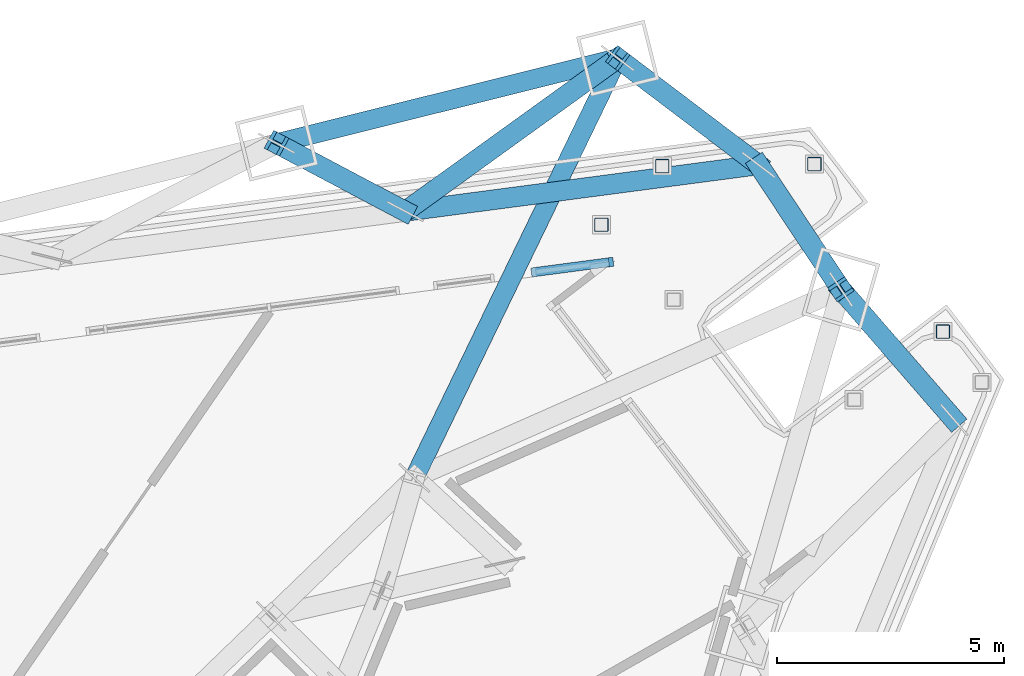
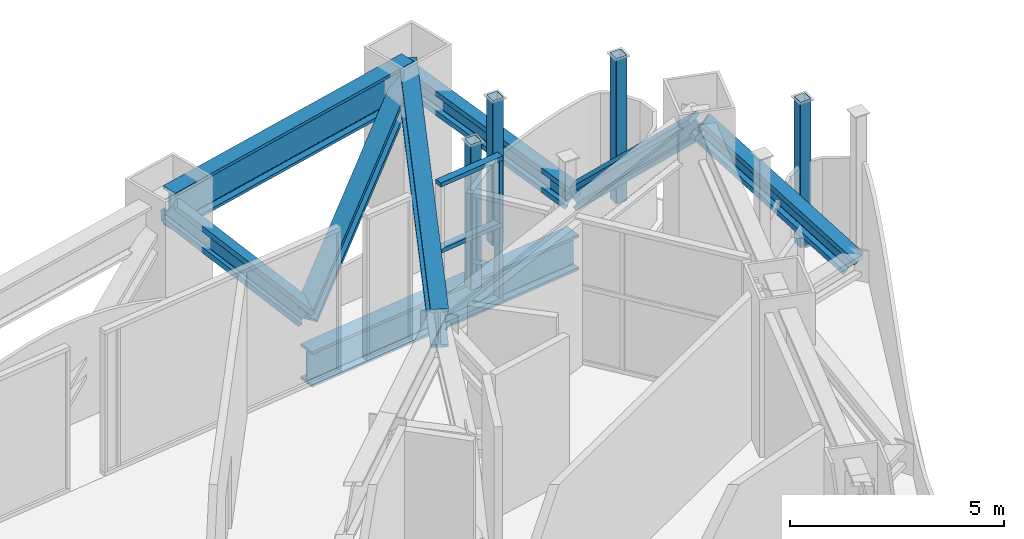
# One storey, part 10 of 31: 16 members, 1 beam, 1 element without a shape of its own.
"""IFC4 building model written with IfcOpenShell, lengths in metres."""

from ifc_helpers import new_model, si_unit, direction, frame, origin, origin_2d, place, context, subcontext, project, spatial, rectangle, hollow_rectangle, i_section, extrude, material, layer, layer_set, material_profile, profile_set, type_object, element, aggregate, save


model = new_model("IFC4")

# Units and contexts
model_context = context("Model", 3, precision=1e-05, world=origin(), true_north=direction((0.0, 1.0)))
body_context = subcontext(model_context, "Body", "Model", "MODEL_VIEW")
ifc_project = project(units=[si_unit("LENGTHUNIT", "METRE"), si_unit("AREAUNIT", "SQUARE_METRE"), si_unit("VOLUMEUNIT", "CUBIC_METRE"), si_unit("PLANEANGLEUNIT", "RADIAN"), si_unit("MASSUNIT", "GRAM", prefix="KILO")], contexts=[model_context])

# Site, building, storey
site_placement = place(None, origin())
site = spatial("IfcSite", under=ifc_project, at=site_placement, CompositionType="ELEMENT")
building_placement = place(site_placement, origin())
building = spatial("IfcBuilding", under=site, at=building_placement, Name="Trine Commons Tower", CompositionType="ELEMENT")
storey_placement = place(building_placement, frame((0.0, 0.0, 82.800048828125)))
storey = spatial("IfcBuildingStorey", under=building, at=storey_placement, Name="L20", CompositionType="ELEMENT", Elevation=82.800048828125)

# Curtain wall, members
ifc_material_1 = material(Name="Plant louvre wall: anodised aluminium frame with anodised aluminium louvre blades", Category="aluminium")
ifc_layer = layer(ifc_material_1, 0.199951171875)
ifc_layer_set = layer_set([ifc_layer], Name="Plant louvre wall: anodised aluminium frame with anodised aluminium louvre blades")
curtain_wall_type = type_object("IfcCurtainWallType", Name="Plant louvre wall curtain wall CW7", PredefinedType="NOTDEFINED", material=ifc_layer_set)
curtain_wall_placement = place(storey_placement, origin())
curtain_wall = element("IfcCurtainWall", 1, at=curtain_wall_placement, inside=storey, type_object=curtain_wall_type, Name="Plant louvre wall L20 F1.5", PredefinedType="NOTDEFINED")
ifc_material_2 = material(Name="Anodised aluminium, bronze finish", Category="aluminium")
ifc_material_profile_1 = material_profile(ifc_material_2, rectangle(XDim=0.199951171875, YDim=0.10009765625, at=origin_2d()), Name="Mullion 100x200")
ifc_profile_set_1 = profile_set([ifc_material_profile_1], Name="Anodised aluminium, bronze finish")
member_type_1 = type_object("IfcMemberType", Name="Mullion 100x200, Anodised aluminium, bronze finish", PredefinedType="MULLION", material=ifc_profile_set_1)
member_1_placement = place(storey_placement, frame((101.415283203125, 83.75390625, 0.119873046875), z_axis=(0.0, 0.0, 1.0), x_axis=(-0.13052619222, 0.991444861374, 0.0)))
member_1 = element("IfcMember", 2, at=member_1_placement, type_object=member_type_1, Name="CW7 mullion 2.1", PredefinedType="MULLION", context=body_context, shape_type="SweptSolid", body=[
    extrude(rectangle(XDim=0.199951171875, YDim=0.10009765625, at=origin_2d()), origin(), (0.0, 0.0, 1.0), 2.02001953125),
])
member_2_placement = place(storey_placement, frame((101.415283203125, 83.75390625, 2.260009765625), z_axis=(0.0, 0.0, 1.0), x_axis=(-0.13052619222, 0.991444861374, 0.0)))
member_2 = element("IfcMember", 3, at=member_2_placement, type_object=member_type_1, Name="CW7 mullion 2.2", PredefinedType="MULLION", context=body_context, shape_type="SweptSolid", body=[
    extrude(rectangle(XDim=0.199951171875, YDim=0.10009765625, at=origin_2d()), origin(), (0.0, 0.0, 1.0), 1.77001953125),
])

# Beam
ifc_material_3 = material(Name="Structural steel ASTM A992 Gr50", Category="steel")
ifc_material_profile_2 = material_profile(ifc_material_3, i_section(OverallWidth=0.42529296875, OverallDepth=1.09228515625, WebThickness=0.04541015625, FlangeThickness=0.08203125, FilletRadius=0.030029296875, at=origin_2d()), Name="W40X593")
ifc_profile_set_2 = profile_set([ifc_material_profile_2], Name="Structural steel ASTM A992 Gr50")
beam_type = type_object("IfcBeamType", Name="Steel beam W40X593, ASTM A992 Gr50", PredefinedType="BEAM", material=ifc_profile_set_2)
beam_placement = place(storey_placement, frame((101.562744140625, 88.250244140625, 3.603759765625), z_axis=(-0.436007430627, -0.899943065109, 0.0), x_axis=(0.899943065109, -0.436007430627, 0.0)))
element("IfcBeam", 4, at=beam_placement, inside=storey, type_object=beam_type, Name="Transfer truss girder T2-UV-03", PredefinedType="BEAM", context=body_context, shape_type="SweptSolid", body=[
    extrude(i_section(OverallWidth=0.42529296875, OverallDepth=1.09228515625, WebThickness=0.04541015625, FlangeThickness=0.08203125, FilletRadius=0.030029296875, at=origin_2d()), origin(), (0.0, 0.0, 1.0), 10.2890625),
])

# Members
ifc_material_profile_3 = material_profile(ifc_material_3, i_section(OverallWidth=0.44775390625, OverallDepth=0.54931640625, WebThickness=0.072021484375, FlangeThickness=0.11474609375, FilletRadius=0.01513671875, at=origin_2d()), Name="W14X665")
ifc_profile_set_3 = profile_set([ifc_material_profile_3], Name="Structural steel ASTM A992 Gr50")
member_type_2 = type_object("IfcMemberType", Name="Steel brace W14X665, ASTM A992 Gr50", PredefinedType="BRACE", material=ifc_profile_set_3)
member_3_placement = place(storey_placement, frame((96.875732421875, 84.870849609375, 0.504638671875), z_axis=(-0.636230312501, 0.336599413224, 0.694198692358), x_axis=(-0.467639851974, -0.883919096323, 0.0)))
element("IfcMember", 5, at=member_3_placement, inside=storey, type_object=member_type_2, Name="Belt truss brace T2-DG-29", PredefinedType="BRACE", context=body_context, shape_type="SweptSolid", body=[
    extrude(i_section(OverallWidth=0.44775390625, OverallDepth=0.54931640625, WebThickness=0.072021484375, FlangeThickness=0.11474609375, FilletRadius=0.01513671875, at=origin_2d()), origin(), (0.0, 0.0, 1.0), 4.46435546875),
])
member_4_placement = place(storey_placement, frame((104.6689453125, 85.89697265625, 0.504638671875), z_axis=(-0.623854371502, 0.472634778504, 0.622432397378), x_axis=(-0.60387216219, -0.797081182648, 0.0)))
element("IfcMember", 6, at=member_4_placement, inside=storey, type_object=member_type_2, Name="Belt truss brace T2-DG-31", PredefinedType="BRACE", context=body_context, shape_type="SweptSolid", body=[
    extrude(i_section(OverallWidth=0.44775390625, OverallDepth=0.54931640625, WebThickness=0.072021484375, FlangeThickness=0.11474609375, FilletRadius=0.01513671875, at=origin_2d()), origin(), (0.0, 0.0, 1.0), 4.97900390625),
])
member_5_placement = place(storey_placement, frame((96.875732421875, 84.870849609375, 0.504638671875), z_axis=(0.714821288752, 0.515395159855, 0.472650351048), x_axis=(-0.584845540156, 0.811144681398, 0.0)))
element("IfcMember", 7, at=member_5_placement, inside=storey, type_object=member_type_2, Name="Belt truss brace T2-DG-32", PredefinedType="BRACE", context=body_context, shape_type="SweptSolid", body=[
    extrude(i_section(OverallWidth=0.44775390625, OverallDepth=0.54931640625, WebThickness=0.072021484375, FlangeThickness=0.11474609375, FilletRadius=0.01513671875, at=origin_2d()), origin(), (0.0, 0.0, 1.0), 6.556884765625),
])
member_6_placement = place(storey_placement, frame((104.6689453125, 85.89697265625, 0.504638671875), z_axis=(0.40207927416, -0.607221760976, 0.685283875696), x_axis=(0.833779661271, 0.552097343274, 0.0)))
element("IfcMember", 8, at=member_6_placement, inside=storey, type_object=member_type_2, Name="Belt truss brace T2-DG-33", PredefinedType="BRACE", context=body_context, shape_type="SweptSolid", body=[
    extrude(i_section(OverallWidth=0.44775390625, OverallDepth=0.54931640625, WebThickness=0.072021484375, FlangeThickness=0.11474609375, FilletRadius=0.01513671875, at=origin_2d()), origin(), (0.0, 0.0, 1.0), 4.5224609375),
])
member_7_placement = place(storey_placement, frame((108.984375, 80.272705078125, 0.504638671875), z_axis=(-0.508402813415, 0.585995382025, 0.630980183173), x_axis=(-0.755344388108, -0.655328051707, 0.0)))
element("IfcMember", 9, at=member_7_placement, inside=storey, type_object=member_type_2, Name="Belt truss brace T2-DG-34", PredefinedType="BRACE", context=body_context, shape_type="SweptSolid", body=[
    extrude(i_section(OverallWidth=0.44775390625, OverallDepth=0.54931640625, WebThickness=0.072021484375, FlangeThickness=0.11474609375, FilletRadius=0.01513671875, at=origin_2d()), origin(), (0.0, 0.0, 1.0), 4.91162109375),
])
ifc_material_profile_4 = material_profile(ifc_material_3, i_section(OverallWidth=0.43798828125, OverallDepth=1.009521484375, WebThickness=0.041015625, FlangeThickness=0.073974609375, FilletRadius=0.024169921875, at=origin_2d()), Name="W36X529")
ifc_profile_set_4 = profile_set([ifc_material_profile_4], Name="Structural steel ASTM A992 Gr50")
member_type_3 = type_object("IfcMemberType", Name="Steel chord W36X529, ASTM A992 Gr50", PredefinedType="CHORD", material=ifc_profile_set_4)
member_8_placement = place(storey_placement, frame((96.875732421875, 84.870849609375, -0.954833984375), z_axis=(0.991442768667, 0.130542086924, 0.0), x_axis=(-0.130542086924, 0.991442768667, 0.0)))
element("IfcMember", 10, at=member_8_placement, inside=storey, type_object=member_type_3, Name="Belt truss chord T2-LC-14", PredefinedType="CHORD", context=body_context, shape_type="SweptSolid", body=[
    extrude(i_section(OverallWidth=0.43798828125, OverallDepth=1.009521484375, WebThickness=0.041015625, FlangeThickness=0.073974609375, FilletRadius=0.024169921875, at=origin_2d()), origin(), (0.0, 0.0, 1.0), 7.860595703125),
])
ifc_material_profile_5 = material_profile(ifc_material_3, i_section(OverallWidth=0.42529296875, OverallDepth=1.09228515625, WebThickness=0.04541015625, FlangeThickness=0.08203125, FilletRadius=0.030029296875, at=origin_2d()), Name="W40X593")
ifc_profile_set_5 = profile_set([ifc_material_profile_5], Name="Structural steel ASTM A992 Gr50")
member_type_4 = type_object("IfcMemberType", Name="Steel chord W40X593, ASTM A992 Gr50", PredefinedType="CHORD", material=ifc_profile_set_5)
member_9_placement = place(storey_placement, frame((94.035400390625, 86.37353515625, 3.603759765625), z_axis=(0.970297801936, 0.24191357043, 0.0), x_axis=(-0.24191357043, 0.970297801936, 0.0)))
element("IfcMember", 11, at=member_9_placement, inside=storey, type_object=member_type_4, Name="Belt truss chord T2-UC-14", PredefinedType="CHORD", context=body_context, shape_type="SweptSolid", body=[
    extrude(i_section(OverallWidth=0.42529296875, OverallDepth=1.09228515625, WebThickness=0.04541015625, FlangeThickness=0.08203125, FilletRadius=0.030029296875, at=origin_2d()), origin(), (0.0, 0.0, 1.0), 7.7578125),
])
ifc_material_4 = material(Name="Structural steel ASTM A500 Gr C", Category="steel")
ifc_material_profile_6 = material_profile(ifc_material_4, hollow_rectangle(XDim=0.3046875, YDim=0.3046875, WallThickness=0.014892578125, InnerFilletRadius=0.00732421875, OuterFilletRadius=0.022216796875, at=origin_2d()), Name="HSS12X12X5/8")
ifc_profile_set_6 = profile_set([ifc_material_profile_6], Name="Structural steel ASTM A500 Gr C")
member_type_5 = type_object("IfcMemberType", Name="Steel post HSS12X12X5/8, ASTM A500 Gr C", PredefinedType="POST", material=ifc_profile_set_6)
for number, where, z_axis, x_axis, name in (
    (12, (105.902099609375, 85.914794921875, 0.0), (0.0, 0.0, 1.0), (1.0, 0.0, 0.0), "Roof post SP2-51"),
    (13, (101.2041015625, 84.5751953125, 0.0), (0.0, 0.0, 1.0), (1.0, 0.0, 0.0), "Roof post SP2-52"),
    (14, (102.544189453125, 85.869384765625, 0.0), (0.0, 0.0, 1.0), (1.0, 0.0, 0.0), "Roof post SP2-54"),
    (15, (108.73779296875, 82.21923828125, 0.0), (0.0, 0.0, 1.0), (1.0, 0.0, 0.0), "Roof post SP2-61"),
):
    element("IfcMember", number, at=place(storey_placement, frame(where, z_axis=z_axis, x_axis=x_axis)), inside=storey, type_object=member_type_5, Name=name, PredefinedType="POST", context=body_context, shape_type="SweptSolid", body=[
        extrude(hollow_rectangle(XDim=0.3046875, YDim=0.3046875, WallThickness=0.014892578125, InnerFilletRadius=0.00732421875, OuterFilletRadius=0.022216796875, at=origin_2d()), origin(), (0.0, 0.0, 1.0), 4.14990234375),
    ])

# Member
ifc_material_profile_7 = material_profile(ifc_material_2, rectangle(XDim=0.199951171875, YDim=0.1201171875, at=origin_2d()), Name="Transom 120x200")
ifc_profile_set_7 = profile_set([ifc_material_profile_7], Name="Anodised aluminium, bronze finish")
member_type_6 = type_object("IfcMemberType", Name="Transom 120x200, Anodised aluminium, bronze finish", PredefinedType="USERDEFINED", material=ifc_profile_set_7)
member_10_placement = place(storey_placement, frame((99.65869140625, 83.522705078125, 0.06005859375), z_axis=(0.991444257436, 0.1305307795, 0.0), x_axis=(-0.1305307795, 0.991444257436, 0.0)))
member_10 = element("IfcMember", 16, at=member_10_placement, type_object=member_type_6, Name="CW7 transom T00", ObjectType="TRANSOM", PredefinedType="USERDEFINED", context=body_context, shape_type="SweptSolid", body=[
    extrude(rectangle(XDim=0.199951171875, YDim=0.1201171875, at=origin_2d()), origin(), (0.0, 0.0, 1.0), 1.82177734375),
])

member_11_placement = place(storey_placement, frame((99.65869140625, 83.522705078125, 2.199951171875), z_axis=(0.991444257436, 0.1305307795, 0.0), x_axis=(-0.1305307795, 0.991444257436, 0.0)))
member_11 = element("IfcMember", 17, at=member_11_placement, type_object=member_type_6, Name="CW7 transom T01", ObjectType="TRANSOM", PredefinedType="USERDEFINED", context=body_context, shape_type="SweptSolid", body=[
    extrude(rectangle(XDim=0.199951171875, YDim=0.1201171875, at=origin_2d()), origin(), (0.0, 0.0, 1.0), 1.82177734375),
])

member_12_placement = place(storey_placement, frame((99.65869140625, 83.522705078125, 4.08984375), z_axis=(0.991444257436, 0.1305307795, 0.0), x_axis=(-0.1305307795, 0.991444257436, 0.0)))
member_12 = element("IfcMember", 18, at=member_12_placement, type_object=member_type_6, Name="CW7 transom TH00", ObjectType="TRANSOM", PredefinedType="USERDEFINED", context=body_context, shape_type="SweptSolid", body=[
    extrude(rectangle(XDim=0.199951171875, YDim=0.1201171875, at=origin_2d()), origin(), (0.0, 0.0, 1.0), 1.82177734375),
])

aggregate(curtain_wall, [member_10, member_11, member_12, member_1, member_2])

save(model, "model.ifc")
